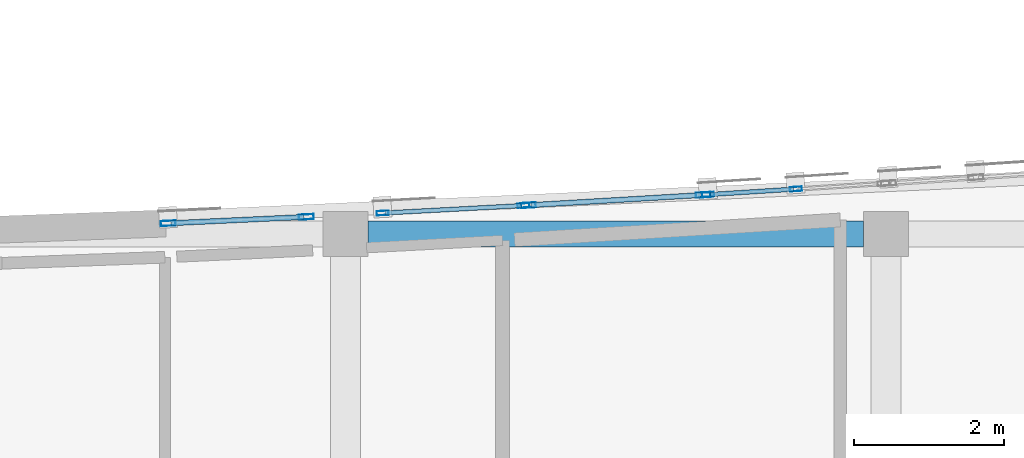
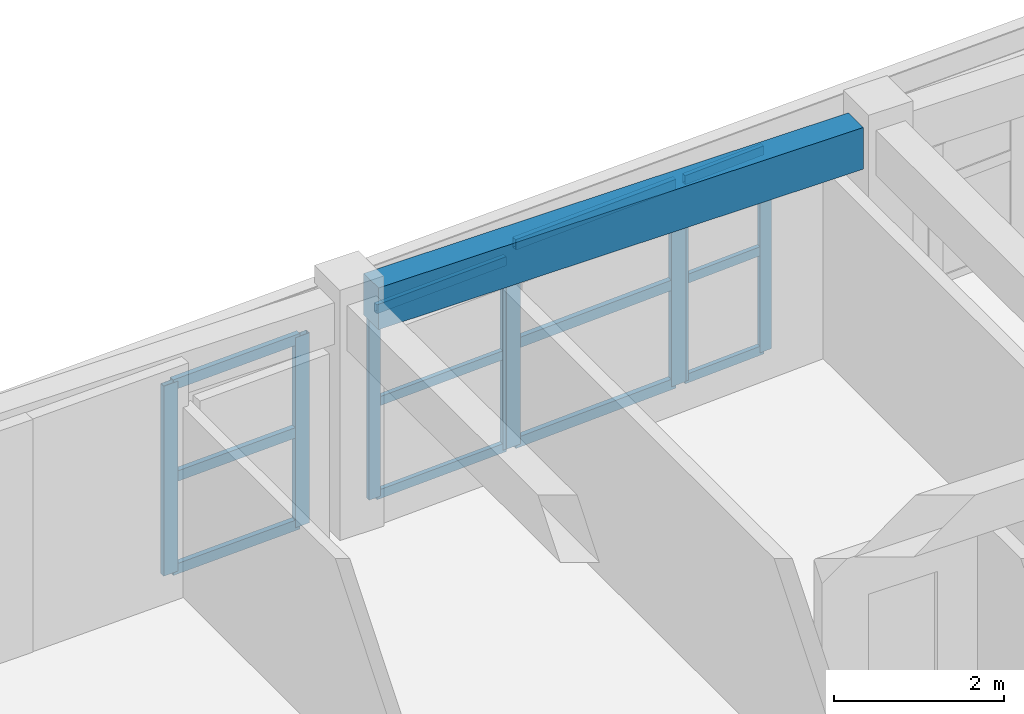
# One storey, part 6 of 50: 20 members, 1 beam, 4 elements without a shape of their own.
"""IFC4 building model written with IfcOpenShell, lengths in metres."""

from ifc_helpers import new_model, si_unit, direction, frame, origin, origin_2d, place, context, subcontext, project, spatial, rectangle, hollow_rectangle, extrude, material, layer, layer_set, material_profile, profile_set, type_object, element, aggregate, save


model = new_model("IFC4")

# Units and contexts
model_context = context("Model", 3, precision=1e-05, world=origin(), true_north=direction((0.0, 1.0)))
body_context = subcontext(model_context, "Body", "Model", "MODEL_VIEW")
ifc_project = project(units=[si_unit("LENGTHUNIT", "METRE"), si_unit("AREAUNIT", "SQUARE_METRE"), si_unit("VOLUMEUNIT", "CUBIC_METRE"), si_unit("PLANEANGLEUNIT", "RADIAN"), si_unit("MASSUNIT", "GRAM", prefix="KILO")], contexts=[model_context])

# Site, building, storey
site_placement = place(None, origin())
site = spatial("IfcSite", under=ifc_project, at=site_placement, CompositionType="ELEMENT")
building_placement = place(site_placement, origin())
building = spatial("IfcBuilding", under=site, at=building_placement, Name="Carrowvane Square Congress Hotel", CompositionType="ELEMENT")
storey_placement = place(building_placement, frame((0.0, 0.0, 22.800048828125)))
storey = spatial("IfcBuildingStorey", under=building, at=storey_placement, Name="L05", CompositionType="ELEMENT", Elevation=22.800048828125)

# Beam
ifc_material_1 = material(Name="Concrete C35/45", Category="concrete")
ifc_material_profile_1 = material_profile(ifc_material_1, rectangle(XDim=0.35009765625, YDim=0.60009765625, at=origin_2d()), Name="RC 350x600")
ifc_profile_set_1 = profile_set([ifc_material_profile_1], Name="Concrete C35/45")
beam_type = type_object("IfcBeamType", Name="BM-RC-350x600", PredefinedType="BEAM", material=ifc_profile_set_1)
beam_placement = place(storey_placement, frame((40.699951171875, 113.39990234375, 3.050048828125), z_axis=(1.0, 0.0, 0.0), x_axis=(0.0, 1.0, 0.0)))
element("IfcBeam", 1, at=beam_placement, inside=storey, type_object=beam_type, Name="L06 girder R/5-6", PredefinedType="BEAM", context=body_context, shape_type="SweptSolid", body=[
    extrude(rectangle(XDim=0.35009765625, YDim=0.60009765625, at=origin_2d()), origin(), (0.0, 0.0, 1.0), 6.60009765625),
])

# Curtain wall, members
ifc_material_2 = material(Name="Anodised aluminium", Category="aluminium")
ifc_layer_1 = layer(ifc_material_2, 0.2099609375)
ifc_layer_set_1 = layer_set([ifc_layer_1], Name="Anodised aluminium")
curtain_wall_type_1 = type_object("IfcCurtainWallType", Name="CW-SYS-5", PredefinedType="NOTDEFINED", material=ifc_layer_set_1)
curtain_wall_1_placement = place(storey_placement, origin())
curtain_wall_1 = element("IfcCurtainWall", 2, at=curtain_wall_1_placement, inside=storey, type_object=curtain_wall_type_1, Name="L05 unitised curtain wall 308", PredefinedType="NOTDEFINED")
ifc_material_3 = material(Name="Anodised aluminium", Category="aluminium")
ifc_material_profile_2 = material_profile(ifc_material_3, hollow_rectangle(XDim=0.06005859375, YDim=0.159912109375, WallThickness=0.00390625, at=origin_2d()), Name="CW-ML 60x160x4")
ifc_profile_set_2 = profile_set([ifc_material_profile_2], Name="Anodised aluminium")
member_type_1 = type_object("IfcMemberType", Name="CW-MUL-1", PredefinedType="MULLION", material=ifc_profile_set_2)
member_1_placement = place(storey_placement, frame((40.893310546875, 113.67919921875, 0.0), z_axis=(0.0, 0.0, 1.0), x_axis=(-0.053513817306, 0.998567109091, 0.0)))
member_1 = element("IfcMember", 3, at=member_1_placement, type_object=member_type_1, Name="CW-5 mullion 1", PredefinedType="MULLION", context=body_context, shape_type="SweptSolid", body=[
    extrude(hollow_rectangle(XDim=0.06005859375, YDim=0.159912109375, WallThickness=0.00390625, at=origin_2d()), origin(), (0.0, 0.0, 1.0), 2.73486328125),
])
member_2_placement = place(storey_placement, frame((42.77001953125, 113.77978515625, 0.0), z_axis=(0.0, 0.0, 1.0), x_axis=(-0.053513817306, 0.998567109091, 0.0)))
member_2 = element("IfcMember", 4, at=member_2_placement, type_object=member_type_1, Name="CW-5 mullion 2", PredefinedType="MULLION", context=body_context, shape_type="SweptSolid", body=[
    extrude(hollow_rectangle(XDim=0.06005859375, YDim=0.159912109375, WallThickness=0.00390625, at=origin_2d()), origin(), (0.0, 0.0, 1.0), 2.73486328125),
])

ifc_material_4 = material(Name="Anodised aluminium", Category="aluminium")
ifc_layer_2 = layer(ifc_material_4, 0.23388671875)
ifc_layer_set_2 = layer_set([ifc_layer_2], Name="Anodised aluminium")
curtain_wall_type_2 = type_object("IfcCurtainWallType", Name="CW-SYS-7", PredefinedType="NOTDEFINED", material=ifc_layer_set_2)
curtain_wall_2_placement = place(storey_placement, origin())
curtain_wall_2 = element("IfcCurtainWall", 5, at=curtain_wall_2_placement, inside=storey, type_object=curtain_wall_type_2, Name="L05 unitised curtain wall 310", PredefinedType="NOTDEFINED")
member_3_placement = place(storey_placement, frame((45.22998046875, 113.925048828125, 0.0), z_axis=(0.0, 0.0, 1.0), x_axis=(-0.063273487972, 0.997996225303, 0.0)))
member_3 = element("IfcMember", 6, at=member_3_placement, type_object=member_type_1, Name="CW-7 mullion 1", PredefinedType="MULLION", context=body_context, shape_type="SweptSolid", body=[
    extrude(hollow_rectangle(XDim=0.06005859375, YDim=0.159912109375, WallThickness=0.00390625, at=origin_2d()), origin(), (0.0, 0.0, 1.0), 2.925537109375),
])
member_4_placement = place(storey_placement, frame((46.39990234375, 113.999267578125, 0.0), z_axis=(0.0, 0.0, 1.0), x_axis=(-0.063273487972, 0.997996225303, 0.0)))
member_4 = element("IfcMember", 7, at=member_4_placement, type_object=member_type_1, Name="CW-7 mullion 2", PredefinedType="MULLION", context=body_context, shape_type="SweptSolid", body=[
    extrude(hollow_rectangle(XDim=0.06005859375, YDim=0.159912109375, WallThickness=0.00390625, at=origin_2d()), origin(), (0.0, 0.0, 1.0), 2.925537109375),
])

ifc_material_5 = material(Name="Anodised aluminium", Category="aluminium")
ifc_layer_3 = layer(ifc_material_5, 0.197998046875)
ifc_layer_set_3 = layer_set([ifc_layer_3], Name="Anodised aluminium")
curtain_wall_type_3 = type_object("IfcCurtainWallType", Name="CW-SYS-4", PredefinedType="NOTDEFINED", material=ifc_layer_set_3)
curtain_wall_3_placement = place(storey_placement, origin())
curtain_wall_3 = element("IfcCurtainWall", 8, at=curtain_wall_3_placement, inside=storey, type_object=curtain_wall_type_3, Name="L05 unitised curtain wall 307", PredefinedType="NOTDEFINED")
ifc_material_6 = material(Name="Anodised aluminium", Category="aluminium")
ifc_material_profile_3 = material_profile(ifc_material_6, hollow_rectangle(XDim=0.070068359375, YDim=0.199951171875, WallThickness=0.0048828125, at=origin_2d()), Name="CW-ML 70x200x5")
ifc_profile_set_3 = profile_set([ifc_material_profile_3], Name="Anodised aluminium")
member_type_2 = type_object("IfcMemberType", Name="CW-MUL-2", PredefinedType="MULLION", material=ifc_profile_set_3)
member_5_placement = place(storey_placement, frame((38.034912109375, 113.54248046875, 0.0), z_axis=(0.0, 0.0, 1.0), x_axis=(-0.046522035775, 0.998917263935, 0.0)))
member_5 = element("IfcMember", 9, at=member_5_placement, type_object=member_type_2, Name="CW-4 mullion 1", PredefinedType="MULLION", context=body_context, shape_type="SweptSolid", body=[
    extrude(hollow_rectangle(XDim=0.070068359375, YDim=0.199951171875, WallThickness=0.0048828125, at=origin_2d()), origin(), (0.0, 0.0, 1.0), 2.73486328125),
])
member_6_placement = place(storey_placement, frame((39.87646484375, 113.62841796875, 0.0), z_axis=(0.0, 0.0, 1.0), x_axis=(-0.046522035775, 0.998917263935, 0.0)))
member_6 = element("IfcMember", 10, at=member_6_placement, type_object=member_type_2, Name="CW-4 mullion 2", PredefinedType="MULLION", context=body_context, shape_type="SweptSolid", body=[
    extrude(hollow_rectangle(XDim=0.070068359375, YDim=0.199951171875, WallThickness=0.0048828125, at=origin_2d()), origin(), (0.0, 0.0, 1.0), 2.73486328125),
])

ifc_material_7 = material(Name="Anodised aluminium", Category="aluminium")
ifc_layer_4 = layer(ifc_material_7, 0.221923828125)
ifc_layer_set_4 = layer_set([ifc_layer_4], Name="Anodised aluminium")
curtain_wall_type_4 = type_object("IfcCurtainWallType", Name="CW-SYS-6", PredefinedType="NOTDEFINED", material=ifc_layer_set_4)
curtain_wall_4_placement = place(storey_placement, origin())
curtain_wall_4 = element("IfcCurtainWall", 11, at=curtain_wall_4_placement, inside=storey, type_object=curtain_wall_type_4, Name="L05 unitised curtain wall 309", PredefinedType="NOTDEFINED")
member_7_placement = place(storey_placement, frame((42.8349609375, 113.783447265625, 0.0), z_axis=(0.0, 0.0, 1.0), x_axis=(-0.058988522254, 0.99825866099, 0.0)))
member_7 = element("IfcMember", 12, at=member_7_placement, type_object=member_type_2, Name="CW-6 mullion 1", PredefinedType="MULLION", context=body_context, shape_type="SweptSolid", body=[
    extrude(hollow_rectangle(XDim=0.070068359375, YDim=0.199951171875, WallThickness=0.0048828125, at=origin_2d()), origin(), (0.0, 0.0, 1.0), 2.925537109375),
])
member_8_placement = place(storey_placement, frame((45.1650390625, 113.921142578125, 0.0), z_axis=(0.0, 0.0, 1.0), x_axis=(-0.058988522254, 0.99825866099, 0.0)))
member_8 = element("IfcMember", 13, at=member_8_placement, type_object=member_type_2, Name="CW-6 mullion 2", PredefinedType="MULLION", context=body_context, shape_type="SweptSolid", body=[
    extrude(hollow_rectangle(XDim=0.070068359375, YDim=0.199951171875, WallThickness=0.0048828125, at=origin_2d()), origin(), (0.0, 0.0, 1.0), 2.925537109375),
])

# Member
ifc_material_8 = material(Name="Anodised aluminium", Category="aluminium")
ifc_material_profile_4 = material_profile(ifc_material_8, hollow_rectangle(XDim=0.06005859375, YDim=0.1298828125, WallThickness=0.00390625, at=origin_2d()), Name="CW-TR 60x130x4")
ifc_profile_set_4 = profile_set([ifc_material_profile_4], Name="Anodised aluminium")
member_type_3 = type_object("IfcMemberType", Name="CW-TRN-1", PredefinedType="USERDEFINED", material=ifc_profile_set_4)
member_9_placement = place(storey_placement, frame((40.923095703125, 113.6806640625, 0.030029296875), z_axis=(0.998565827462, 0.053537727111, 0.0), x_axis=(-0.053537727111, 0.998565827462, 0.0)))
member_9 = element("IfcMember", 14, at=member_9_placement, type_object=member_type_3, Name="CW-5 transom 1.1", ObjectType="TRANSOM", PredefinedType="USERDEFINED", context=body_context, shape_type="SweptSolid", body=[
    extrude(hollow_rectangle(XDim=0.06005859375, YDim=0.1298828125, WallThickness=0.00390625, at=origin_2d()), origin(), (0.0, 0.0, 1.0), 1.819580078125),
])

member_10_placement = place(storey_placement, frame((40.923095703125, 113.6806640625, 1.367431640625), z_axis=(0.998565827462, 0.053537727111, 0.0), x_axis=(-0.053537727111, 0.998565827462, 0.0)))
member_10 = element("IfcMember", 15, at=member_10_placement, type_object=member_type_3, Name="CW-5 transom 1.2", ObjectType="TRANSOM", PredefinedType="USERDEFINED", context=body_context, shape_type="SweptSolid", body=[
    extrude(hollow_rectangle(XDim=0.06005859375, YDim=0.1298828125, WallThickness=0.00390625, at=origin_2d()), origin(), (0.0, 0.0, 1.0), 1.819580078125),
])

member_11_placement = place(storey_placement, frame((40.923095703125, 113.6806640625, 2.704833984375), z_axis=(0.998565827462, 0.053537727111, 0.0), x_axis=(-0.053537727111, 0.998565827462, 0.0)))
member_11 = element("IfcMember", 16, at=member_11_placement, type_object=member_type_3, Name="CW-5 transom 1.3", ObjectType="TRANSOM", PredefinedType="USERDEFINED", context=body_context, shape_type="SweptSolid", body=[
    extrude(hollow_rectangle(XDim=0.06005859375, YDim=0.1298828125, WallThickness=0.00390625, at=origin_2d()), origin(), (0.0, 0.0, 1.0), 1.819580078125),
])

aggregate(curtain_wall_1, [member_1, member_2, member_9, member_10, member_11])

member_12_placement = place(storey_placement, frame((45.259765625, 113.927001953125, 0.030029296875), z_axis=(0.998001011376, 0.063197953227, 0.0), x_axis=(-0.063197953227, 0.998001011376, 0.0)))
member_12 = element("IfcMember", 17, at=member_12_placement, type_object=member_type_3, Name="CW-7 transom 1.1", ObjectType="TRANSOM", PredefinedType="USERDEFINED", context=body_context, shape_type="SweptSolid", body=[
    extrude(hollow_rectangle(XDim=0.06005859375, YDim=0.1298828125, WallThickness=0.00390625, at=origin_2d()), origin(), (0.0, 0.0, 1.0), 1.112548828125),
])

member_13_placement = place(storey_placement, frame((45.259765625, 113.927001953125, 1.462646484375), z_axis=(0.998001011376, 0.063197953227, 0.0), x_axis=(-0.063197953227, 0.998001011376, 0.0)))
member_13 = element("IfcMember", 18, at=member_13_placement, type_object=member_type_3, Name="CW-7 transom 1.2", ObjectType="TRANSOM", PredefinedType="USERDEFINED", context=body_context, shape_type="SweptSolid", body=[
    extrude(hollow_rectangle(XDim=0.06005859375, YDim=0.1298828125, WallThickness=0.00390625, at=origin_2d()), origin(), (0.0, 0.0, 1.0), 1.112548828125),
])

member_14_placement = place(storey_placement, frame((45.259765625, 113.927001953125, 2.8955078125), z_axis=(0.998001011376, 0.063197953227, 0.0), x_axis=(-0.063197953227, 0.998001011376, 0.0)))
member_14 = element("IfcMember", 19, at=member_14_placement, type_object=member_type_3, Name="CW-7 transom 1.3", ObjectType="TRANSOM", PredefinedType="USERDEFINED", context=body_context, shape_type="SweptSolid", body=[
    extrude(hollow_rectangle(XDim=0.06005859375, YDim=0.1298828125, WallThickness=0.00390625, at=origin_2d()), origin(), (0.0, 0.0, 1.0), 1.112548828125),
])

aggregate(curtain_wall_2, [member_3, member_4, member_12, member_13, member_14])

ifc_material_9 = material(Name="Anodised aluminium", Category="aluminium")
ifc_material_profile_5 = material_profile(ifc_material_9, hollow_rectangle(XDim=0.070068359375, YDim=0.14990234375, WallThickness=0.0048828125, at=origin_2d()), Name="CW-TR 70x150x5")
ifc_profile_set_5 = profile_set([ifc_material_profile_5], Name="Anodised aluminium")
member_type_4 = type_object("IfcMemberType", Name="CW-TRN-2", PredefinedType="USERDEFINED", material=ifc_profile_set_5)
member_15_placement = place(storey_placement, frame((38.06982421875, 113.544189453125, 0.034912109375), z_axis=(0.998917112664, 0.046525283737, 0.0), x_axis=(-0.046525283737, 0.998917112664, 0.0)))
member_15 = element("IfcMember", 20, at=member_15_placement, type_object=member_type_4, Name="CW-4 transom 1.1", ObjectType="TRANSOM", PredefinedType="USERDEFINED", context=body_context, shape_type="SweptSolid", body=[
    extrude(hollow_rectangle(XDim=0.070068359375, YDim=0.14990234375, WallThickness=0.0048828125, at=origin_2d()), origin(), (0.0, 0.0, 1.0), 1.773681640625),
])

member_16_placement = place(storey_placement, frame((38.06982421875, 113.544189453125, 1.367431640625), z_axis=(0.998917112664, 0.046525283737, 0.0), x_axis=(-0.046525283737, 0.998917112664, 0.0)))
member_16 = element("IfcMember", 21, at=member_16_placement, type_object=member_type_4, Name="CW-4 transom 1.2", ObjectType="TRANSOM", PredefinedType="USERDEFINED", context=body_context, shape_type="SweptSolid", body=[
    extrude(hollow_rectangle(XDim=0.070068359375, YDim=0.14990234375, WallThickness=0.0048828125, at=origin_2d()), origin(), (0.0, 0.0, 1.0), 1.773681640625),
])

member_17_placement = place(storey_placement, frame((38.06982421875, 113.544189453125, 2.699951171875), z_axis=(0.998917112664, 0.046525283737, 0.0), x_axis=(-0.046525283737, 0.998917112664, 0.0)))
member_17 = element("IfcMember", 22, at=member_17_placement, type_object=member_type_4, Name="CW-4 transom 1.3", ObjectType="TRANSOM", PredefinedType="USERDEFINED", context=body_context, shape_type="SweptSolid", body=[
    extrude(hollow_rectangle(XDim=0.070068359375, YDim=0.14990234375, WallThickness=0.0048828125, at=origin_2d()), origin(), (0.0, 0.0, 1.0), 1.773681640625),
])

aggregate(curtain_wall_3, [member_5, member_6, member_15, member_16, member_17])

member_18_placement = place(storey_placement, frame((42.869873046875, 113.785400390625, 0.034912109375), z_axis=(0.998259095079, 0.058981175741, 0.0), x_axis=(-0.058981175741, 0.998259095079, 0.0)))
member_18 = element("IfcMember", 23, at=member_18_placement, type_object=member_type_4, Name="CW-6 transom 1.1", ObjectType="TRANSOM", PredefinedType="USERDEFINED", context=body_context, shape_type="SweptSolid", body=[
    extrude(hollow_rectangle(XDim=0.070068359375, YDim=0.14990234375, WallThickness=0.0048828125, at=origin_2d()), origin(), (0.0, 0.0, 1.0), 2.26416015625),
])

member_19_placement = place(storey_placement, frame((42.869873046875, 113.785400390625, 1.462646484375), z_axis=(0.998259095079, 0.058981175741, 0.0), x_axis=(-0.058981175741, 0.998259095079, 0.0)))
member_19 = element("IfcMember", 24, at=member_19_placement, type_object=member_type_4, Name="CW-6 transom 1.2", ObjectType="TRANSOM", PredefinedType="USERDEFINED", context=body_context, shape_type="SweptSolid", body=[
    extrude(hollow_rectangle(XDim=0.070068359375, YDim=0.14990234375, WallThickness=0.0048828125, at=origin_2d()), origin(), (0.0, 0.0, 1.0), 2.26416015625),
])

member_20_placement = place(storey_placement, frame((42.869873046875, 113.785400390625, 2.890625), z_axis=(0.998259095079, 0.058981175741, 0.0), x_axis=(-0.058981175741, 0.998259095079, 0.0)))
member_20 = element("IfcMember", 25, at=member_20_placement, type_object=member_type_4, Name="CW-6 transom 1.3", ObjectType="TRANSOM", PredefinedType="USERDEFINED", context=body_context, shape_type="SweptSolid", body=[
    extrude(hollow_rectangle(XDim=0.070068359375, YDim=0.14990234375, WallThickness=0.0048828125, at=origin_2d()), origin(), (0.0, 0.0, 1.0), 2.26416015625),
])

aggregate(curtain_wall_4, [member_7, member_8, member_18, member_19, member_20])

save(model, "model.ifc")
